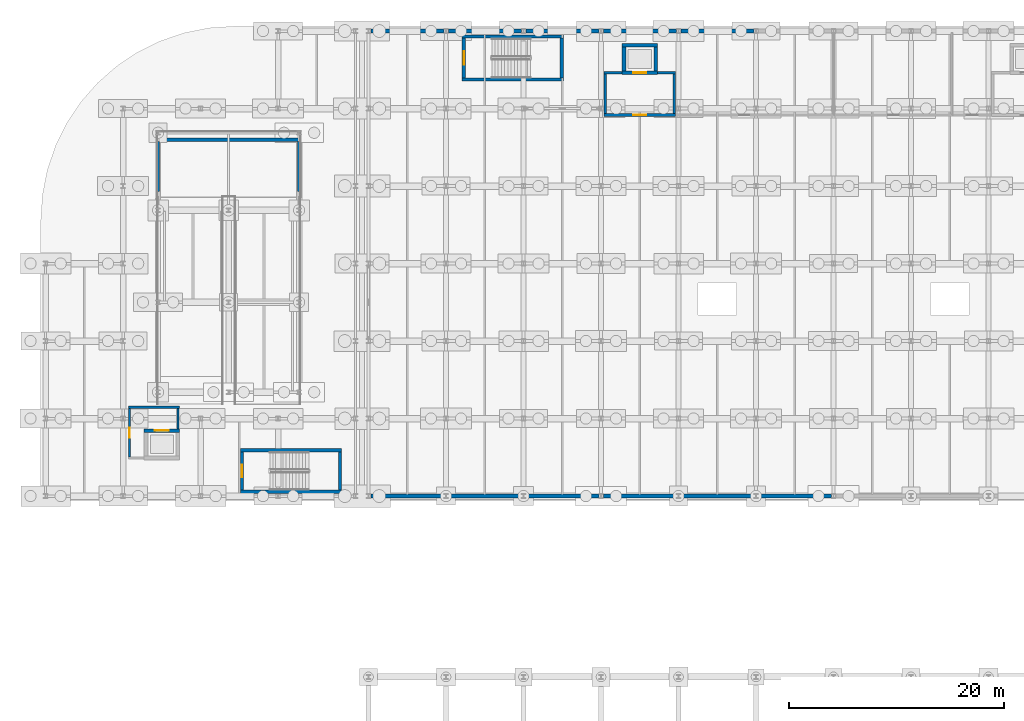
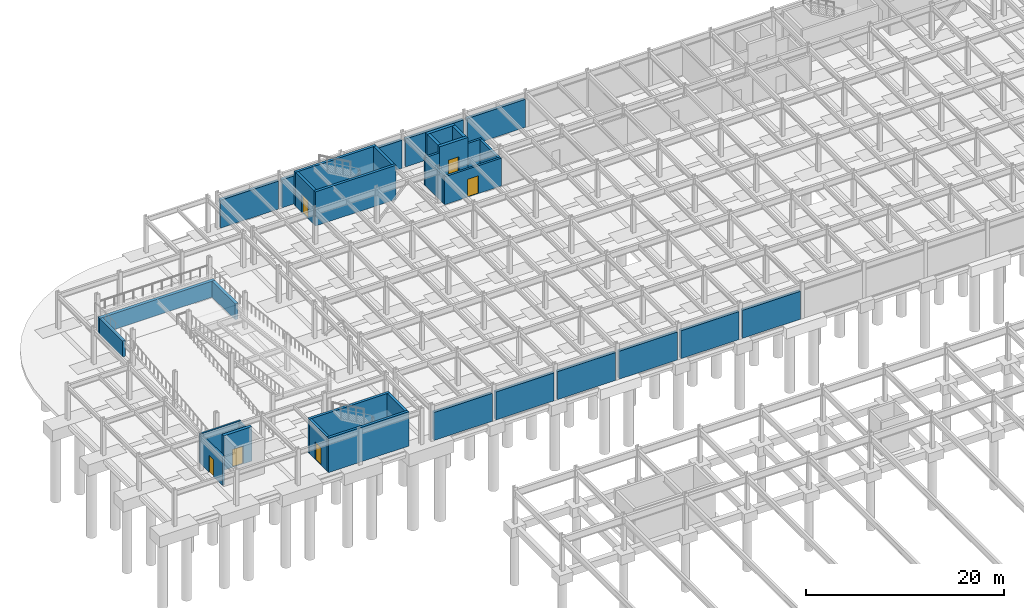
# One storey, part 43 of 54: 35 walls, 6 doors, 6 openings.
"""IFC4 building model written with IfcOpenShell, lengths in metres."""

from ifc_helpers import new_model, si_unit, direction, frame, frame_2d, origin, place, context, subcontext, project, spatial, rectangle, extrude, material, layer, layer_set, type_object, element, fill, save


model = new_model("IFC4")

# Units and contexts
model_context = context("Model", 3, precision=1e-05, world=origin(), true_north=direction((0.0, 1.0)))
body_context = subcontext(model_context, "Body", "Model", "MODEL_VIEW")
ifc_project = project(units=[si_unit("LENGTHUNIT", "METRE"), si_unit("AREAUNIT", "SQUARE_METRE"), si_unit("VOLUMEUNIT", "CUBIC_METRE"), si_unit("PLANEANGLEUNIT", "RADIAN"), si_unit("MASSUNIT", "GRAM", prefix="KILO")], contexts=[model_context])

# Site, building, storey
site_placement = place(None, origin())
site = spatial("IfcSite", under=ifc_project, at=site_placement, CompositionType="ELEMENT")
building_placement = place(site_placement, origin())
building = spatial("IfcBuilding", under=site, at=building_placement, Name="Vaelcorin Mobility Hub", CompositionType="ELEMENT")
storey_placement = place(building_placement, frame((0.0, 0.0, -4.5)))
storey = spatial("IfcBuildingStorey", under=building, at=storey_placement, Name="B1", CompositionType="ELEMENT", Elevation=-4.5)

# Walls
ifc_material_1 = material(Name="Insulated exterior precast concrete C40/50", Category="concrete")
ifc_layer_1 = layer(ifc_material_1, 0.360107421875)
ifc_layer_set_1 = layer_set([ifc_layer_1], Name="Insulated exterior precast concrete C40/50")
wall_type_1 = type_object("IfcWallType", Name="WL-B1-RET360", PredefinedType="SOLIDWALL", material=ifc_layer_set_1)
for number, where, z_axis, x_axis, name in (
    (1, (36.208984375, 120.0, 0.0), (0.0, 0.0, 1.0), (1.0, 0.0, 0.0), "B1 Retaining Wall B1-RET-V4N-01"),
    (2, (42.990966796875, 76.800048828125, 0.0), (0.0, 0.0, 1.0), (-1.0, 0.0, 0.0), "B1 Retaining Wall B1-RET-V4S-01"),
    (3, (43.408935546875, 120.0, 0.0), (0.0, 0.0, 1.0), (1.0, 0.0, 0.0), "B1 Retaining Wall B1-RET-V4N-02"),
    (4, (50.19091796875, 76.800048828125, 0.0), (0.0, 0.0, 1.0), (-1.0, 0.0, 0.0), "B1 Retaining Wall B1-RET-V4S-02"),
):
    element("IfcWall", number, at=place(storey_placement, frame(where, z_axis=z_axis, x_axis=x_axis)), inside=storey, type_object=wall_type_1, Name=name, PredefinedType="SOLIDWALL", context=body_context, shape_type="SweptSolid", body=[
        extrude(rectangle(XDim=6.781982421875, YDim=0.360107421875, at=frame_2d((3.39111328125, 0.0))), origin(), (0.0, 0.0, 1.0), 3.447998046875),
    ])
for number, where, z_axis, x_axis, name in (
    (5, (50.60888671875, 120.0, 0.0), (0.0, 0.0, 1.0), (1.0, 0.0, 0.0), "B1 Retaining Wall B1-RET-V4N-03"),
    (6, (57.39111328125, 76.800048828125, 0.0), (0.0, 0.0, 1.0), (-1.0, 0.0, 0.0), "B1 Retaining Wall B1-RET-V4S-03"),
):
    element("IfcWall", number, at=place(storey_placement, frame(where, z_axis=z_axis, x_axis=x_axis)), inside=storey, type_object=wall_type_1, Name=name, PredefinedType="SOLIDWALL", context=body_context, shape_type="SweptSolid", body=[
        extrude(rectangle(XDim=6.7822265625, YDim=0.360107421875, at=frame_2d((3.39111328125, 0.0))), origin(), (0.0, 0.0, 1.0), 3.447998046875),
    ])
for number, where, z_axis, x_axis, name in (
    (7, (57.80908203125, 120.0, 0.0), (0.0, 0.0, 1.0), (1.0, 0.0, 0.0), "B1 Retaining Wall B1-RET-V4N-04"),
    (8, (64.591064453125, 76.800048828125, 0.0), (0.0, 0.0, 1.0), (-1.0, 0.0, 0.0), "B1 Retaining Wall B1-RET-V4S-04"),
    (9, (65.009033203125, 120.0, 0.0), (0.0, 0.0, 1.0), (1.0, 0.0, 0.0), "B1 Retaining Wall B1-RET-V4N-05"),
    (10, (71.791015625, 76.800048828125, 0.0), (0.0, 0.0, 1.0), (-1.0, 0.0, 0.0), "B1 Retaining Wall B1-RET-V4S-05"),
    (11, (78.990966796875, 76.800048828125, 0.0), (0.0, 0.0, 1.0), (-1.0, 0.0, 0.0), "B1 Retaining Wall B1-RET-V4S-06"),
):
    element("IfcWall", number, at=place(storey_placement, frame(where, z_axis=z_axis, x_axis=x_axis)), inside=storey, type_object=wall_type_1, Name=name, PredefinedType="SOLIDWALL", context=body_context, shape_type="SweptSolid", body=[
        extrude(rectangle(XDim=6.781982421875, YDim=0.360107421875, at=frame_2d((3.39111328125, 0.0))), origin(), (0.0, 0.0, 1.0), 3.447998046875),
    ])
ifc_material_2 = material(Name="Reinforced concrete f'c 45 MPa", Category="concrete")
ifc_layer_2 = layer(ifc_material_2, 0.300048828125)
ifc_layer_set_2 = layer_set([ifc_layer_2], Name="Reinforced concrete f'c 45 MPa")
wall_type_2 = type_object("IfcWallType", Name="WL-CORE-300", PredefinedType="SOLIDWALL", material=ifc_layer_set_2)
for number, where, z_axis, x_axis, name in (
    (12, (33.5, 77.199951171875, 0.0), (0.0, 0.0, 1.0), (-1.0, 0.0, 0.0), "ST1 Fire Core Wall B1 South"),
    (13, (24.10009765625, 81.06005859375, 0.0), (0.0, 0.0, 1.0), (1.0, 0.0, 0.0), "ST1 Fire Core Wall B1 North"),
):
    element("IfcWall", number, at=place(storey_placement, frame(where, z_axis=z_axis, x_axis=x_axis)), inside=storey, type_object=wall_type_2, Name=name, PredefinedType="SOLIDWALL", context=body_context, shape_type="SweptSolid", body=[
        extrude(rectangle(XDim=9.39990234375, YDim=0.300048828125, at=frame_2d((4.699951171875, 0.0))), origin(), (0.0, 0.0, 1.0), 4.25),
    ])

# Wall, opening, door
wall_1_placement = place(storey_placement, frame((24.25, 77.35009765625, 0.0), z_axis=(0.0, 0.0, 1.0), x_axis=(0.0, 1.0, 0.0)))
wall_1 = element("IfcWall", 14, at=wall_1_placement, inside=storey, type_object=wall_type_2, Name="ST1 Fire Core Wall B1 West", PredefinedType="SOLIDWALL", context=body_context, shape_type="SweptSolid", body=[
    extrude(rectangle(XDim=3.559814453125, YDim=0.300048828125, at=frame_2d((1.77978515625, 0.0))), origin(), (0.0, 0.0, 1.0), 4.25),
])
opening_1_placement = place(wall_1_placement, frame((1.179931640625, 0.0, 0.0)))
opening_1 = element("IfcOpeningElement", 15, at=opening_1_placement, cuts=wall_1, Name="Opening SD01", PredefinedType="OPENING", context=body_context, shape_type="SweptSolid", body=[
    extrude(rectangle(XDim=1.199951171875, YDim=2.199951171875, at=frame_2d((0.60009765625, 1.10009765625))), frame((0.0, 0.159912109375, 0.0), z_axis=(0.0, -1.0, 0.0), x_axis=(1.0, 0.0, 0.0)), (0.0, 0.0, 1.0), 0.320068359375),
])
ifc_material_3 = material(Name="Hollow-metal insulated steel fire door", Category="steel")
door_type_1 = type_object("IfcDoorType", Name="DR-STAIR-90", OperationType="NOTDEFINED", PredefinedType="DOOR", material=ifc_material_3)
door_1_placement = place(opening_1_placement, origin())
door_1 = element("IfcDoor", 16, at=door_1_placement, inside=storey, type_object=door_type_1, Name="ST1 Protected Stair Door B1", OperationType="SINGLE_SWING_LEFT", OverallHeight=2.199951171875, OverallWidth=1.199951171875, PredefinedType="DOOR", context=body_context, shape_type="SweptSolid", body=[
    extrude(rectangle(XDim=1.199951171875, YDim=2.199951171875, at=frame_2d((0.60009765625, 1.10009765625))), frame((0.0, 0.02490234375, 0.0), z_axis=(0.0, -1.0, 0.0), x_axis=(1.0, 0.0, 0.0)), (0.0, 0.0, 1.0), 0.050048828125),
])
fill(opening_1, door_1)

# Walls
wall_2_placement = place(storey_placement, frame((33.35009765625, 80.909912109375, 0.0), z_axis=(0.0, 0.0, 1.0), x_axis=(0.0, -1.0, 0.0)))
element("IfcWall", 17, at=wall_2_placement, inside=storey, type_object=wall_type_2, Name="ST1 Fire Core Wall B1 East", PredefinedType="SOLIDWALL", context=body_context, shape_type="SweptSolid", body=[
    extrude(rectangle(XDim=3.559814453125, YDim=0.300048828125, at=frame_2d((1.77978515625, 0.0))), origin(), (0.0, 0.0, 1.0), 4.25),
])
for number, where, z_axis, x_axis, name in (
    (18, (54.10009765625, 115.5, 0.0), (0.0, 0.0, 1.0), (-1.0, 0.0, 0.0), "ST3 Fire Core Wall B1 South"),
    (19, (44.699951171875, 119.47998046875, 0.0), (0.0, 0.0, 1.0), (1.0, 0.0, 0.0), "ST3 Fire Core Wall B1 North"),
):
    element("IfcWall", number, at=place(storey_placement, frame(where, z_axis=z_axis, x_axis=x_axis)), inside=storey, type_object=wall_type_2, Name=name, PredefinedType="SOLIDWALL", context=body_context, shape_type="SweptSolid", body=[
        extrude(rectangle(XDim=9.400146484375, YDim=0.300048828125, at=frame_2d((4.7001953125, 0.0))), origin(), (0.0, 0.0, 1.0), 4.219970703125),
    ])

# Wall, opening, door
wall_3_placement = place(storey_placement, frame((44.85009765625, 115.64990234375, 0.0), z_axis=(0.0, 0.0, 1.0), x_axis=(0.0, 1.0, 0.0)))
wall_3 = element("IfcWall", 20, at=wall_3_placement, inside=storey, type_object=wall_type_2, Name="ST3 Fire Core Wall B1 West", PredefinedType="SOLIDWALL", context=body_context, shape_type="SweptSolid", body=[
    extrude(rectangle(XDim=3.68017578125, YDim=0.300048828125, at=frame_2d((1.840087890625, 0.0))), origin(), (0.0, 0.0, 1.0), 4.219970703125),
])
opening_2_placement = place(wall_3_placement, frame((1.215087890625, 0.0, 0.0)))
opening_2 = element("IfcOpeningElement", 21, at=opening_2_placement, cuts=wall_3, Name="Opening SD02", PredefinedType="OPENING", context=body_context, shape_type="SweptSolid", body=[
    extrude(rectangle(XDim=1.25, YDim=2.199951171875, at=frame_2d((0.625, 1.10009765625))), frame((0.0, 0.159912109375, 0.0), z_axis=(0.0, -1.0, 0.0), x_axis=(1.0, 0.0, 0.0)), (0.0, 0.0, 1.0), 0.320068359375),
])
door_type_2 = type_object("IfcDoorType", Name="DR-STAIR-FF", OperationType="NOTDEFINED", PredefinedType="DOOR", material=ifc_material_3)
door_2_placement = place(opening_2_placement, origin())
door_2 = element("IfcDoor", 22, at=door_2_placement, inside=storey, type_object=door_type_2, Name="ST3 Protected Stair Door B1", OperationType="SINGLE_SWING_LEFT", OverallHeight=2.199951171875, OverallWidth=1.25, PredefinedType="DOOR", context=body_context, shape_type="SweptSolid", body=[
    extrude(rectangle(XDim=1.25, YDim=2.199951171875, at=frame_2d((0.625, 1.10009765625))), frame((0.0, 0.02490234375, 0.0), z_axis=(0.0, -1.0, 0.0), x_axis=(1.0, 0.0, 0.0)), (0.0, 0.0, 1.0), 0.050048828125),
])
fill(opening_2, door_2)

# Walls
wall_4_placement = place(storey_placement, frame((53.949951171875, 119.330078125, 0.0), z_axis=(0.0, 0.0, 1.0), x_axis=(0.0, -1.0, 0.0)))
element("IfcWall", 23, at=wall_4_placement, inside=storey, type_object=wall_type_2, Name="ST3 Fire Core Wall B1 East", PredefinedType="SOLIDWALL", context=body_context, shape_type="SweptSolid", body=[
    extrude(rectangle(XDim=3.68017578125, YDim=0.300048828125, at=frame_2d((1.840087890625, 0.0))), origin(), (0.0, 0.0, 1.0), 4.219970703125),
])
ifc_material_4 = material(Name="Reinforced acoustic concrete masonry C30/37", Category="masonry")
ifc_layer_3 = layer(ifc_material_4, 0.205078125)
ifc_layer_set_3 = layer_set([ifc_layer_3], Name="Reinforced acoustic concrete masonry C30/37")
wall_type_3 = type_object("IfcWallType", Name="WL-PART-205", PredefinedType="PARTITIONING", material=ifc_layer_set_3)
wall_5_placement = place(storey_placement, frame((13.697998046875, 85.050048828125, 0.0), z_axis=(0.0, 0.0, 1.0), x_axis=(1.0, 0.0, 0.0)))
element("IfcWall", 24, at=wall_5_placement, inside=storey, type_object=wall_type_3, Name="West Drum Lift Lobby B1 Partition North", PredefinedType="PARTITIONING", context=body_context, shape_type="SweptSolid", body=[
    extrude(rectangle(XDim=4.751953125, YDim=0.205078125, at=frame_2d((2.3759765625, 0.0))), origin(), (0.0, 0.0, 1.0), 3.617919921875),
])

# Wall, opening, door
wall_6_placement = place(storey_placement, frame((13.800048828125, 80.429931640625, 0.0), z_axis=(0.0, 0.0, 1.0), x_axis=(0.0, 1.0, 0.0)))
wall_6 = element("IfcWall", 25, at=wall_6_placement, inside=storey, type_object=wall_type_3, Name="West Drum Lift Lobby B1 Partition West", PredefinedType="PARTITIONING", context=body_context, shape_type="SweptSolid", body=[
    extrude(rectangle(XDim=4.51611328125, YDim=0.205078125, at=frame_2d((2.258056640625, 0.0))), origin(), (0.0, 0.0, 1.0), 3.617919921875),
])
opening_3_placement = place(wall_6_placement, frame((1.7880859375, 0.0, 0.0)))
opening_3 = element("IfcOpeningElement", 26, at=opening_3_placement, cuts=wall_6, Name="Opening ID02", PredefinedType="OPENING", context=body_context, shape_type="SweptSolid", body=[
    extrude(rectangle(XDim=0.93994140625, YDim=2.10009765625, at=frame_2d((0.469970703125, 1.050048828125))), frame((0.0, 0.112548828125, 0.0), z_axis=(0.0, -1.0, 0.0), x_axis=(1.0, 0.0, 0.0)), (0.0, 0.0, 1.0), 0.22509765625),
])
ifc_material_5 = material(Name="Solid-core hardwood fire door assembly", Category="wood")
door_type_3 = type_object("IfcDoorType", Name="DR-INT-02", OperationType="NOTDEFINED", PredefinedType="DOOR", material=ifc_material_5)
door_3_placement = place(opening_3_placement, origin())
door_3 = element("IfcDoor", 27, at=door_3_placement, inside=storey, type_object=door_type_3, Name="West Drum Lift Lobby B1 Door", OperationType="SINGLE_SWING_LEFT", OverallHeight=2.10009765625, OverallWidth=0.93994140625, PredefinedType="DOOR", context=body_context, shape_type="SweptSolid", body=[
    extrude(rectangle(XDim=0.93994140625, YDim=2.10009765625, at=frame_2d((0.469970703125, 1.050048828125))), frame((0.0, 0.02490234375, 0.0), z_axis=(0.0, -1.0, 0.0), x_axis=(1.0, 0.0, 0.0)), (0.0, 0.0, 1.0), 0.050048828125),
])
fill(opening_3, door_3)

# Wall
wall_7_placement = place(storey_placement, frame((18.300048828125, 84.946044921875, 0.0), z_axis=(0.0, 0.0, 1.0), x_axis=(0.0, -1.0, 0.0)))
element("IfcWall", 28, at=wall_7_placement, inside=storey, type_object=wall_type_3, Name="West Drum Lift Lobby B1 Return Wall East", PredefinedType="PARTITIONING", context=body_context, shape_type="SweptSolid", body=[
    extrude(rectangle(XDim=1.89404296875, YDim=0.205078125, at=frame_2d((0.947021484375, 0.0))), origin(), (0.0, 0.0, 1.0), 3.617919921875),
])

# Wall, opening, door
ifc_layer_4 = layer(ifc_material_4, 0.25)
ifc_layer_set_4 = layer_set([ifc_layer_4], Name="Reinforced acoustic concrete masonry C30/37")
wall_type_4 = type_object("IfcWallType", Name="WL-PART-250", PredefinedType="PARTITIONING", material=ifc_layer_set_4)
wall_8_placement = place(storey_placement, frame((64.52490234375, 112.199951171875, 0.0), z_axis=(0.0, 0.0, 1.0), x_axis=(-1.0, 0.0, 0.0)))
wall_8 = element("IfcWall", 29, at=wall_8_placement, inside=storey, type_object=wall_type_4, Name="Firefighting Lobby West B1 Partition South", PredefinedType="PARTITIONING", context=body_context, shape_type="SweptSolid", body=[
    extrude(rectangle(XDim=6.64990234375, YDim=0.25, at=frame_2d((3.324951171875, 0.0))), origin(), (0.0, 0.0, 1.0), 3.443115234375),
])
opening_4_placement = place(wall_8_placement, frame((2.699951171875, 0.0, 0.0)))
opening_4 = element("IfcOpeningElement", 30, at=opening_4_placement, cuts=wall_8, Name="Opening SD02", PredefinedType="OPENING", context=body_context, shape_type="SweptSolid", body=[
    extrude(rectangle(XDim=1.25, YDim=2.199951171875, at=frame_2d((0.625, 1.10009765625))), frame((0.0, 0.135009765625, 0.0), z_axis=(0.0, -1.0, 0.0), x_axis=(1.0, 0.0, 0.0)), (0.0, 0.0, 1.0), 0.27001953125),
])
door_4_placement = place(opening_4_placement, origin())
door_4 = element("IfcDoor", 31, at=door_4_placement, inside=storey, type_object=door_type_2, Name="Firefighting Lobby West B1 Door", OperationType="SINGLE_SWING_LEFT", OverallHeight=2.199951171875, OverallWidth=1.25, PredefinedType="DOOR", context=body_context, shape_type="SweptSolid", body=[
    extrude(rectangle(XDim=1.25, YDim=2.199951171875, at=frame_2d((0.625, 1.10009765625))), frame((0.0, 0.02490234375, 0.0), z_axis=(0.0, -1.0, 0.0), x_axis=(1.0, 0.0, 0.0)), (0.0, 0.0, 1.0), 0.050048828125),
])
fill(opening_4, door_4)

# Walls
wall_9_placement = place(storey_placement, frame((57.875, 116.125, 0.0), z_axis=(0.0, 0.0, 1.0), x_axis=(1.0, 0.0, 0.0)))
element("IfcWall", 32, at=wall_9_placement, inside=storey, type_object=wall_type_4, Name="Firefighting Lobby West B1 Return Wall NW", PredefinedType="PARTITIONING", context=body_context, shape_type="SweptSolid", body=[
    extrude(rectangle(XDim=1.673095703125, YDim=0.25, at=frame_2d((0.83642578125, 0.0))), origin(), (0.0, 0.0, 1.0), 3.443115234375),
])
wall_10_placement = place(storey_placement, frame((62.85205078125, 116.125, 0.0), z_axis=(0.0, 0.0, 1.0), x_axis=(1.0, 0.0, 0.0)))
element("IfcWall", 33, at=wall_10_placement, inside=storey, type_object=wall_type_4, Name="Firefighting Lobby West B1 Return Wall NE", PredefinedType="PARTITIONING", context=body_context, shape_type="SweptSolid", body=[
    extrude(rectangle(XDim=1.6728515625, YDim=0.25, at=frame_2d((0.83642578125, 0.0))), origin(), (0.0, 0.0, 1.0), 3.443115234375),
])
for number, where, z_axis, x_axis, name in (
    (34, (58.0, 112.326904296875, 0.0), (0.0, 0.0, 1.0), (0.0, 1.0, 0.0), "Firefighting Lobby West B1 Partition West"),
    (35, (64.39990234375, 115.998046875, 0.0), (0.0, 0.0, 1.0), (0.0, -1.0, 0.0), "Firefighting Lobby West B1 Partition East"),
):
    element("IfcWall", number, at=place(storey_placement, frame(where, z_axis=z_axis, x_axis=x_axis)), inside=storey, type_object=wall_type_4, Name=name, PredefinedType="PARTITIONING", context=body_context, shape_type="SweptSolid", body=[
        extrude(rectangle(XDim=3.671142578125, YDim=0.25, at=frame_2d((1.83544921875, 0.0))), origin(), (0.0, 0.0, 1.0), 3.443115234375),
    ])
ifc_material_6 = material(Name="Concrete f'c 40 MPa", Category="concrete")
ifc_layer_5 = layer(ifc_material_6, 0.35009765625)
ifc_layer_set_5 = layer_set([ifc_layer_5], Name="Concrete f'c 40 MPa")
wall_type_5 = type_object("IfcWallType", Name="WL-RAMP-DRUM350", PredefinedType="SHEAR", material=ifc_layer_set_5)
for number, where, z_axis, x_axis, name in (
    (36, (16.429931640625, 105.110107421875, 0.0), (0.0, 0.0, 1.0), (0.0, 1.0, 0.0), "V2W Ramp Pit Shear Wall B1-W"),
    (37, (29.570068359375, 105.110107421875, 0.0), (0.0, 0.0, 1.0), (0.0, 1.0, 0.0), "V2W Ramp Pit Shear Wall B1-E"),
):
    element("IfcWall", number, at=place(storey_placement, frame(where, z_axis=z_axis, x_axis=x_axis)), inside=storey, type_object=wall_type_5, Name=name, PredefinedType="SHEAR", context=body_context, shape_type="SweptSolid", body=[
        extrude(rectangle(XDim=4.614990234375, YDim=0.35009765625, at=frame_2d((2.3076171875, 0.0))), origin(), (0.0, 0.0, 1.0), 1.969970703125),
    ])
wall_11_placement = place(storey_placement, frame((16.2548828125, 109.89990234375, 0.0), z_axis=(0.0, 0.0, 1.0), x_axis=(1.0, 0.0, 0.0)))
element("IfcWall", 38, at=wall_11_placement, inside=storey, type_object=wall_type_5, Name="V2W Ramp Pit Shear Wall B1-N", PredefinedType="SHEAR", context=body_context, shape_type="SweptSolid", body=[
    extrude(rectangle(XDim=13.490234375, YDim=0.35009765625, at=frame_2d((6.7451171875, 0.0))), origin(), (0.0, 0.0, 1.0), 1.969970703125),
])

# Wall, opening, door
ifc_layer_6 = layer(ifc_material_2, 0.35009765625)
ifc_layer_set_6 = layer_set([ifc_layer_6], Name="Reinforced concrete f'c 45 MPa")
wall_type_6 = type_object("IfcWallType", Name="WL-SHEAR-350", PredefinedType="SHEAR", material=ifc_layer_set_6)
wall_12_placement = place(storey_placement, frame((62.85009765625, 116.125, 0.0), z_axis=(0.0, 0.0, 1.0), x_axis=(-1.0, 0.0, 0.0)))
wall_12 = element("IfcWall", 39, at=wall_12_placement, inside=storey, type_object=wall_type_6, Name="LF1 Lift Shaft Shear Wall B1 South", PredefinedType="SHEAR", context=body_context, shape_type="SweptSolid", body=[
    extrude(rectangle(XDim=3.300048828125, YDim=0.35009765625, at=frame_2d((1.64990234375, 0.0))), origin(), (0.0, 0.0, 1.0), 4.219970703125),
])
opening_5_placement = place(wall_12_placement, frame((1.050048828125, 0.0, 0.0)))
opening_5 = element("IfcOpeningElement", 40, at=opening_5_placement, cuts=wall_12, Name="Opening LD1", PredefinedType="OPENING", context=body_context, shape_type="SweptSolid", body=[
    extrude(rectangle(XDim=1.199951171875, YDim=2.199951171875, at=frame_2d((0.60009765625, 1.10009765625))), frame((0.0, 0.18505859375, 0.0), z_axis=(0.0, -1.0, 0.0), x_axis=(1.0, 0.0, 0.0)), (0.0, 0.0, 1.0), 0.3701171875),
])
ifc_material_7 = material(Name="Brushed stainless steel 316L", Category="steel")
door_type_4 = type_object("IfcDoorType", Name="DR-LIFT-LD1", OperationType="NOTDEFINED", PredefinedType="DOOR", material=ifc_material_7)
door_5_placement = place(opening_5_placement, origin())
door_5 = element("IfcDoor", 41, at=door_5_placement, inside=storey, type_object=door_type_4, Name="LF1 Lift Landing Sliding Door B1", OperationType="DOUBLE_DOOR_SLIDING", OverallHeight=2.199951171875, OverallWidth=1.199951171875, PredefinedType="DOOR", context=body_context, shape_type="SweptSolid", body=[
    extrude(rectangle(XDim=1.199951171875, YDim=2.199951171875, at=frame_2d((0.60009765625, 1.10009765625))), frame((0.0, 0.02490234375, 0.0), z_axis=(0.0, -1.0, 0.0), x_axis=(1.0, 0.0, 0.0)), (0.0, 0.0, 1.0), 0.050048828125),
])
fill(opening_5, door_5)

# Walls
wall_13_placement = place(storey_placement, frame((59.550048828125, 118.675048828125, 0.0), z_axis=(0.0, 0.0, 1.0), x_axis=(1.0, 0.0, 0.0)))
element("IfcWall", 42, at=wall_13_placement, inside=storey, type_object=wall_type_6, Name="LF1 Lift Shaft Shear Wall B1 North", PredefinedType="SHEAR", context=body_context, shape_type="SweptSolid", body=[
    extrude(rectangle(XDim=3.300048828125, YDim=0.35009765625, at=frame_2d((1.64990234375, 0.0))), origin(), (0.0, 0.0, 1.0), 4.219970703125),
])
for number, where, z_axis, x_axis, name in (
    (43, (59.72509765625, 116.300048828125, 0.0), (0.0, 0.0, 1.0), (0.0, 1.0, 0.0), "LF1 Lift Shaft Shear Wall B1 West"),
    (44, (62.675048828125, 118.5, 0.0), (0.0, 0.0, 1.0), (0.0, -1.0, 0.0), "LF1 Lift Shaft Shear Wall B1 East"),
):
    element("IfcWall", number, at=place(storey_placement, frame(where, z_axis=z_axis, x_axis=x_axis)), inside=storey, type_object=wall_type_6, Name=name, PredefinedType="SHEAR", context=body_context, shape_type="SweptSolid", body=[
        extrude(rectangle(XDim=2.199951171875, YDim=0.35009765625, at=frame_2d((1.10009765625, 0.0))), origin(), (0.0, 0.0, 1.0), 4.219970703125),
    ])

# Wall, opening, door
wall_14_placement = place(storey_placement, frame((15.14990234375, 82.875, 0.0), z_axis=(0.0, 0.0, 1.0), x_axis=(1.0, 0.0, 0.0)))
wall_14 = element("IfcWall", 45, at=wall_14_placement, inside=storey, type_object=wall_type_6, Name="LF4 Lift Shaft Shear Wall B1 North", PredefinedType="SHEAR", context=body_context, shape_type="SweptSolid", body=[
    extrude(rectangle(XDim=3.300048828125, YDim=0.35009765625, at=frame_2d((1.64990234375, 0.0))), origin(), (0.0, 0.0, 1.0), 4.25),
])
opening_6_placement = place(wall_14_placement, frame((1.0, 0.0, 0.0)))
opening_6 = element("IfcOpeningElement", 46, at=opening_6_placement, cuts=wall_14, Name="Opening LD2", PredefinedType="OPENING", context=body_context, shape_type="SweptSolid", body=[
    extrude(rectangle(XDim=1.300048828125, YDim=2.199951171875, at=frame_2d((0.64990234375, 1.10009765625))), frame((0.0, 0.18505859375, 0.0), z_axis=(0.0, -1.0, 0.0), x_axis=(1.0, 0.0, 0.0)), (0.0, 0.0, 1.0), 0.3701171875),
])
door_type_5 = type_object("IfcDoorType", Name="DR-LIFT-LD2", OperationType="NOTDEFINED", PredefinedType="DOOR", material=ifc_material_7)
door_6_placement = place(opening_6_placement, origin())
door_6 = element("IfcDoor", 47, at=door_6_placement, inside=storey, type_object=door_type_5, Name="LF4 Lift Landing Sliding Door B1", OperationType="DOUBLE_DOOR_SLIDING", OverallHeight=2.199951171875, OverallWidth=1.300048828125, PredefinedType="DOOR", context=body_context, shape_type="SweptSolid", body=[
    extrude(rectangle(XDim=1.300048828125, YDim=2.199951171875, at=frame_2d((0.64990234375, 1.10009765625))), frame((0.0, 0.02490234375, 0.0), z_axis=(0.0, -1.0, 0.0), x_axis=(1.0, 0.0, 0.0)), (0.0, 0.0, 1.0), 0.050048828125),
])
fill(opening_6, door_6)

save(model, "model.ifc")
